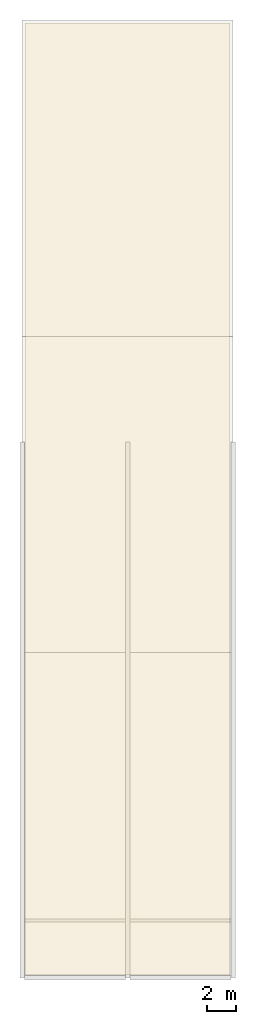
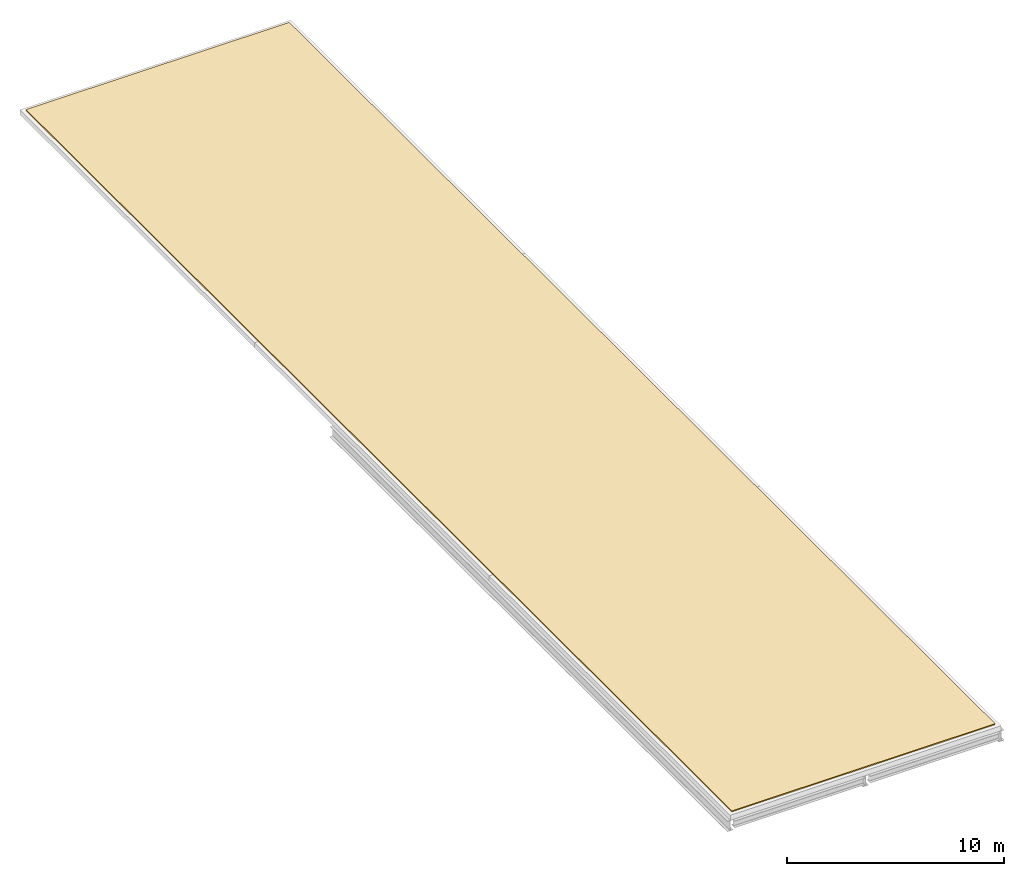
# One storey, part 2 of 2: 1 covering.
"""IFC4 building model written with IfcOpenShell, lengths in metres."""

from ifc_helpers import new_model, si_unit, direction, frame, origin, place, context, subcontext, project, spatial, polyline, outline, extrude, material, layer, layer_set, type_object, element, save


model = new_model("IFC4")

# Units and contexts
model_context = context("Model", 3, precision=1e-05, world=origin(), true_north=direction((0.0, 1.0)))
body_context = subcontext(model_context, "Body", "Model", "MODEL_VIEW")
ifc_project = project(units=[si_unit("LENGTHUNIT", "METRE"), si_unit("AREAUNIT", "SQUARE_METRE"), si_unit("VOLUMEUNIT", "CUBIC_METRE"), si_unit("PLANEANGLEUNIT", "RADIAN"), si_unit("MASSUNIT", "GRAM", prefix="KILO")], contexts=[model_context])

# Site, building, storey
site_placement = place(None, origin())
site = spatial("IfcSite", under=ifc_project, at=site_placement, CompositionType="ELEMENT")
building_placement = place(site_placement, origin())
building = spatial("IfcBuilding", under=site, at=building_placement, Name="Valkovuoma Quantum and Materials Research Institute", CompositionType="ELEMENT")
storey_placement = place(building_placement, frame((0.0, 0.0, 42.239990234375)))
storey = spatial("IfcBuildingStorey", under=building, at=storey_placement, Name="Roof", CompositionType="ELEMENT", Elevation=42.239990234375)

# Covering
ifc_material = material(Name="Standing-seam zinc and insulated snow-shedding roofing", Category="aluminium")
ifc_layer = layer(ifc_material, 0.06005859375)
ifc_layer_set = layer_set([ifc_layer], Name="Standing-seam zinc and insulated snow-shedding roofing")
covering_type = type_object("IfcCoveringType", Name="Cov-ROOF-01", PredefinedType="ROOFING", material=ifc_layer_set)
covering_placement = place(storey_placement, origin())
element("IfcCovering", 1, at=covering_placement, inside=storey, type_object=covering_type, Name="Roof roof covering RFG-V5-FLAT", PredefinedType="ROOFING", context=body_context, shape_type="SweptSolid", body=[
    extrude(outline(polyline([(0.199951171875, 21.199951171875), (14.199951171875, 21.199951171875), (14.199951171875, 86.199951171875), (0.199951171875, 86.199951171875), (0.199951171875, 21.199951171875)])), origin(), (0.0, 0.0, 1.0), 0.06005859375),
])

save(model, "model.ifc")
